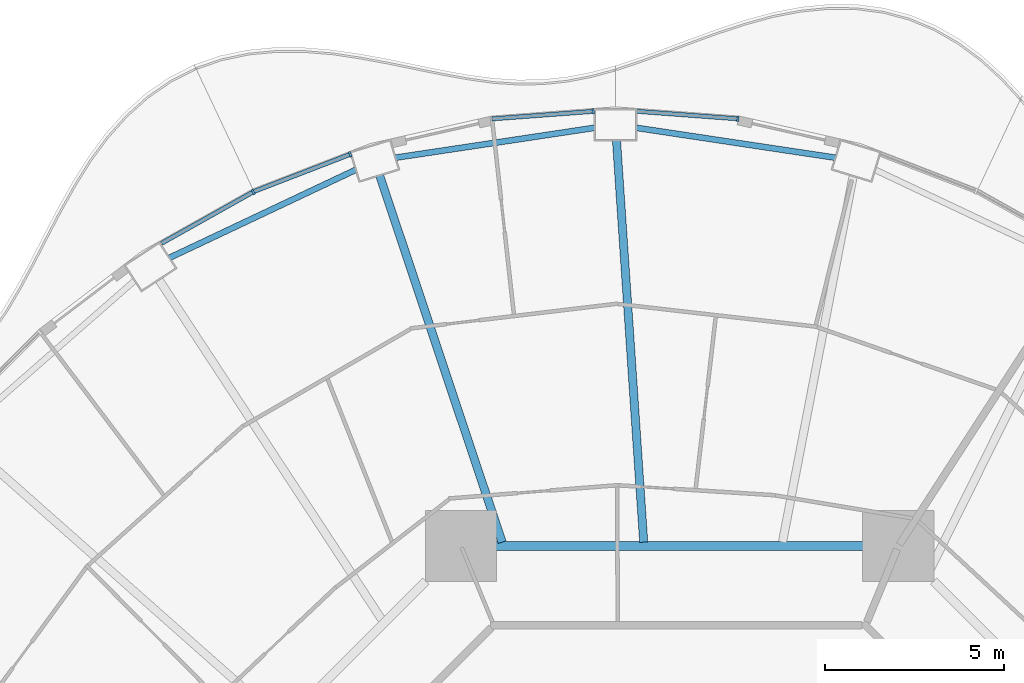
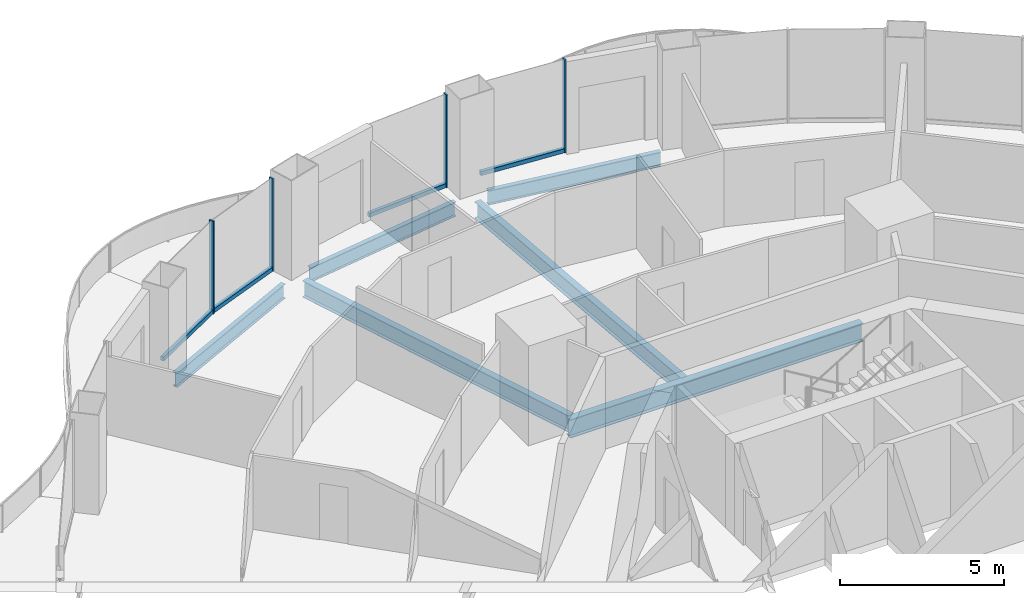
# One storey, part 7 of 20: 8 members, 6 beams, 4 elements without a shape of their own.
"""IFC4 building model written with IfcOpenShell, lengths in metres."""

import ifcopenshell
import ifcopenshell.guid

model = None  # the IFC model being written
_history = None  # IfcOwnerHistory: only IFC2X3 demands one
_inside = {}  # id of a spatial element -> (the spatial element, [elements in it])
_under = {}  # id of a project, library or spatial element -> (it, [spatial elements below it])
_declared = {}  # id of a project -> (the project, [libraries it declares])
_typed = {}  # id of a type object -> (the type object, [elements of that type])
_made_of = {}  # id of a material, layer set ... -> (it, [elements and type objects made of it])


def new_model(schema):
    """Start an empty IFC model of exactly this schema.

    Asked for "IFC4X3", IfcOpenShell would pick the latest addendum, in which some entities
    have other attributes; the version numbers below select the first issue.
    IFC2X3 requires an IfcOwnerHistory on every rooted entity: one is made here for all.
    """
    global model, _history
    if schema == "IFC4X3":
        model = ifcopenshell.file(schema_version=(4, 3, 0, 0))
    else:
        model = ifcopenshell.file(schema=schema)
    _inside.clear()
    _under.clear()
    _declared.clear()
    _typed.clear()
    _made_of.clear()
    _history = None
    if model.schema == "IFC2X3":
        org = make("IfcOrganization", Name="unknown")
        user = make(
            "IfcPersonAndOrganization",
            ThePerson=make("IfcPerson", FamilyName="unknown"),
            TheOrganization=org,
        )
        app = make(
            "IfcApplication",
            ApplicationDeveloper=org,
            Version="unknown",
            ApplicationFullName="unknown",
            ApplicationIdentifier="unknown",
        )
        _history = make(
            "IfcOwnerHistory",
            OwningUser=user,
            OwningApplication=app,
            ChangeAction="ADDED",
            CreationDate=0,
        )
    return model


def make(cls, **values):
    """One entity of the class cls with the attributes given. An attribute that is None is left unset."""
    return model.create_entity(
        cls, **{name: value for name, value in values.items() if value is not None}
    )


def rooted(cls, **values):
    """An entity with a GlobalId (a new one), such as an element, a storey or a relation."""
    return make(cls, GlobalId=ifcopenshell.guid.new(), OwnerHistory=_history, **values)


def si_unit(unit_type, name, prefix=None):
    """IfcSIUnit, for example si_unit("LENGTHUNIT", "METRE", prefix="MILLI")."""
    return make("IfcSIUnit", UnitType=unit_type, Prefix=prefix, Name=name)


def assignment(units):
    """IfcUnitAssignment: the units of a project."""
    return None if units is None else make("IfcUnitAssignment", Units=units)


def point(xyz):
    """IfcCartesianPoint."""
    return None if xyz is None else make("IfcCartesianPoint", Coordinates=xyz)


def direction(xyz):
    """IfcDirection."""
    return None if xyz is None else make("IfcDirection", DirectionRatios=xyz)


def frame(location, z_axis=None, x_axis=None):
    """IfcAxis2Placement3D, a coordinate frame: its origin and axes. An axis left out is left unset."""
    return make(
        "IfcAxis2Placement3D",
        Location=point(location),
        Axis=direction(z_axis),
        RefDirection=direction(x_axis),
    )


def frame_2d(location, x_axis=None):
    """IfcAxis2Placement2D, a coordinate frame in the plane: its origin and x axis."""
    return make(
        "IfcAxis2Placement2D", Location=point(location), RefDirection=direction(x_axis)
    )


def origin():
    """The frame at (0, 0, 0) with its axes left unset."""
    return frame((0.0, 0.0, 0.0))


def origin_2d():
    """The frame at (0, 0) in the plane with its x axis left unset."""
    return frame_2d((0.0, 0.0))


def place(relative_to, where):
    """IfcLocalPlacement: puts the frame where relative to a parent placement (None: the world)."""
    return make(
        "IfcLocalPlacement", PlacementRelTo=relative_to, RelativePlacement=where
    )


def context(
    kind, dimensions, precision=None, world=None, true_north=None, identifier=None
):
    """IfcGeometricRepresentationContext, for example the 3D "Model" context."""
    return make(
        "IfcGeometricRepresentationContext",
        ContextIdentifier=identifier,
        ContextType=kind,
        CoordinateSpaceDimension=dimensions,
        Precision=precision,
        WorldCoordinateSystem=world,
        TrueNorth=true_north,
    )


def subcontext(parent, identifier, kind, view, scale=None):
    """IfcGeometricRepresentationSubContext, for example "Body" below "Model"."""
    return make(
        "IfcGeometricRepresentationSubContext",
        ContextIdentifier=identifier,
        ContextType=kind,
        ParentContext=parent,
        TargetScale=scale,
        TargetView=view,
    )


def project(units=None, contexts=None):
    """IfcProject with its units and contexts."""
    return rooted(
        "IfcProject",
        Name="project",
        RepresentationContexts=contexts,
        UnitsInContext=assignment(units),
    )


def spatial(cls, under=None, at=None, **own):
    """A site, building, storey or space (cls), placed at a placement, below another one or the project."""
    s = rooted(cls, ObjectPlacement=at, **own)
    if under is not None:
        _under.setdefault(under.id(), (under, []))[1].append(s)
    return s


def profile(cls, at=None, kind="AREA", **sizes):
    """A parametric profile (cls). Its sizes go by their IFC names, for example OverallWidth=200.0."""
    return make(cls, ProfileType=kind, Position=at, **sizes)


def rectangle(**sizes):
    """IfcRectangleProfileDef."""
    return profile("IfcRectangleProfileDef", **sizes)


def i_section(**sizes):
    """IfcIShapeProfileDef."""
    return profile("IfcIShapeProfileDef", **sizes)


def extrude(swept, where, along, depth):
    """IfcExtrudedAreaSolid: the profile swept, set in the frame where, extruded along a direction by depth."""
    return make(
        "IfcExtrudedAreaSolid",
        SweptArea=swept,
        Position=where,
        ExtrudedDirection=direction(along),
        Depth=depth,
    )


def shape(context_of_items, identifier, shape_type, items):
    """IfcShapeRepresentation: the items that make up one representation, for example the "Body"."""
    return make(
        "IfcShapeRepresentation",
        ContextOfItems=context_of_items,
        RepresentationIdentifier=identifier,
        RepresentationType=shape_type,
        Items=items,
    )


def material(Name=None, Category=None):
    """IfcMaterial."""
    return make("IfcMaterial", Name=Name, Category=Category)


def layer(
    of_material, thickness, ventilated=None, Name=None, Category=None, Priority=None
):
    """IfcMaterialLayer: one layer of a wall or slab, of a material (None: an air gap)."""
    return make(
        "IfcMaterialLayer",
        Material=of_material,
        LayerThickness=thickness,
        IsVentilated=ventilated,
        Name=Name,
        Category=Category,
        Priority=Priority,
    )


def layer_set(layers, Name=None):
    """IfcMaterialLayerSet."""
    return make("IfcMaterialLayerSet", MaterialLayers=layers, LayerSetName=Name)


def material_profile(
    of_material, cross_section, Name=None, Category=None, Priority=None
):
    """IfcMaterialProfile: a cross section and its material."""
    return make(
        "IfcMaterialProfile",
        Name=Name,
        Material=of_material,
        Profile=cross_section,
        Priority=Priority,
        Category=Category,
    )


def profile_set(profiles, Name=None, composite=None):
    """IfcMaterialProfileSet."""
    return make(
        "IfcMaterialProfileSet",
        Name=Name,
        MaterialProfiles=profiles,
        CompositeProfile=composite,
    )


def made_of(thing, what):
    """Note that an element or type object is made of a material, layer set ...; save() writes the relation."""
    if what is not None:
        _made_of.setdefault(what.id(), (what, []))[1].append(thing)
    return thing


def type_object(cls, material=None, **own):
    """A type object (cls), such as IfcWallType, which elements share."""
    return made_of(rooted(cls, **own), material)


def element(
    cls,
    number,
    at=None,
    inside=None,
    cuts=None,
    type_object=None,
    material=None,
    context=None,
    identifier="Body",
    shape_type=None,
    held_by="IfcProductDefinitionShape",
    body=None,
    shapes=None,
    **own,
):
    """One element of the class cls, such as IfcWall. Its Tag is "e" and its number.

    at: its placement. inside: the storey or other place that contains it. cuts: it is an
    opening in that element (IfcRelVoidsElement). A single representation is given by context,
    identifier, shape_type and body (its items); several are given by shapes. held_by: the class
    of the entity that holds the representations. save() writes the other relations.
    """
    e = rooted(cls, Tag="e%d" % number, ObjectPlacement=at, **own)
    if body is not None:
        shapes = [shape(context, identifier, shape_type, body)]
    if shapes is not None:
        e.Representation = make(held_by, Representations=shapes)
    if inside is not None:
        _inside.setdefault(inside.id(), (inside, []))[1].append(e)
    if cuts is not None:
        rooted(
            "IfcRelVoidsElement", RelatingBuildingElement=cuts, RelatedOpeningElement=e
        )
    if type_object is not None:
        _typed.setdefault(type_object.id(), (type_object, []))[1].append(e)
    return made_of(e, material)


def aggregate(whole, parts):
    """IfcRelAggregates: a whole, such as a stair, and the parts it consists of."""
    return rooted("IfcRelAggregates", RelatingObject=whole, RelatedObjects=parts)


def save(model, path):
    """Write the relations noted so far, then the file.

    IfcRelAggregates (storeys below a building ...), IfcRelContainedInSpatialStructure (elements
    in a storey), IfcRelDefinesByType, IfcRelAssociatesMaterial and IfcRelDeclares: one each for
    every whole, place, type object, material and project.
    """
    for whole, parts in _under.values():
        aggregate(whole, parts)
    for where, things in _inside.values():
        rooted(
            "IfcRelContainedInSpatialStructure",
            RelatedElements=things,
            RelatingStructure=where,
        )
    for kind, things in _typed.values():
        rooted("IfcRelDefinesByType", RelatedObjects=things, RelatingType=kind)
    for what, things in _made_of.values():
        rooted("IfcRelAssociatesMaterial", RelatedObjects=things, RelatingMaterial=what)
    for by, libraries in _declared.values():
        rooted("IfcRelDeclares", RelatingContext=by, RelatedDefinitions=libraries)
    model.write(path)


model = new_model("IFC4")

# Units and contexts
model_context = context("Model", 3, precision=1e-05, world=origin(), true_north=direction((0.0, 1.0)))
body_context = subcontext(model_context, "Body", "Model", "MODEL_VIEW")
ifc_project = project(units=[si_unit("LENGTHUNIT", "METRE"), si_unit("AREAUNIT", "SQUARE_METRE"), si_unit("VOLUMEUNIT", "CUBIC_METRE"), si_unit("PLANEANGLEUNIT", "RADIAN"), si_unit("MASSUNIT", "GRAM", prefix="KILO")], contexts=[model_context])

# Site, building, storey
site_placement = place(None, origin())
site = spatial("IfcSite", under=ifc_project, at=site_placement, CompositionType="ELEMENT")
building_placement = place(site_placement, origin())
building = spatial("IfcBuilding", under=site, at=building_placement, Name="Nagisa Residences", CompositionType="ELEMENT")
storey_placement = place(building_placement, frame((0.0, 0.0, 145.5)))
storey = spatial("IfcBuildingStorey", under=building, at=storey_placement, Name="L36", CompositionType="ELEMENT", Elevation=145.5)

# Curtain wall, member
ifc_material_1 = material(Name="Concrete-coloured aluminium curtain wall system", Category="concrete")
ifc_layer = layer(ifc_material_1, 0.159912109375)
ifc_layer_set = layer_set([ifc_layer], Name="CW1 CURTAIN WALL")
curtain_wall_type = type_object("IfcCurtainWallType", Name="CW1 CURTAIN WALL", PredefinedType="NOTDEFINED", material=ifc_layer_set)
curtain_wall_1_placement = place(storey_placement, origin())
curtain_wall_1 = element("IfcCurtainWall", 1, at=curtain_wall_1_placement, inside=storey, type_object=curtain_wall_type, Name="cw:CW1:L36:11", PredefinedType="NOTDEFINED")
ifc_material_2 = material(Name="Concrete-coloured aluminium", Category="concrete")
ifc_material_profile_1 = material_profile(ifc_material_2, rectangle(XDim=0.159912109375, YDim=0.06005859375, at=origin_2d()), Name="CW1 MULLION 160x60")
ifc_profile_set_1 = profile_set([ifc_material_profile_1], Name="Concrete-coloured aluminium")
member_type_1 = type_object("IfcMemberType", Name="CW1 MULLION 160x60", PredefinedType="MULLION", material=ifc_profile_set_1)
member_1_placement = place(storey_placement, frame((1.627685546875, 26.741455078125, 0.0), z_axis=(0.0, 0.0, 1.0), x_axis=(-0.074377355493, -0.997230168512, 0.0)))
member_1 = element("IfcMember", 2, at=member_1_placement, type_object=member_type_1, Name="CW1 mullion", PredefinedType="MULLION", context=body_context, shape_type="SweptSolid", body=[
    extrude(rectangle(XDim=0.159912109375, YDim=0.06005859375, at=origin_2d()), origin(), (0.0, 0.0, 1.0), 3.43994140625),
])

curtain_wall_2_placement = place(storey_placement, origin())
curtain_wall_2 = element("IfcCurtainWall", 3, at=curtain_wall_2_placement, inside=storey, type_object=curtain_wall_type, Name="cw:CW1:L36:12", PredefinedType="NOTDEFINED")
member_2_placement = place(storey_placement, frame((-2.42236328125, 26.95068359375, 0.0), z_axis=(0.0, 0.0, 1.0), x_axis=(0.074377355493, -0.997230168512, 0.0)))
member_2 = element("IfcMember", 4, at=member_2_placement, type_object=member_type_1, Name="CW1 mullion", PredefinedType="MULLION", context=body_context, shape_type="SweptSolid", body=[
    extrude(rectangle(XDim=0.159912109375, YDim=0.06005859375, at=origin_2d()), origin(), (0.0, 0.0, 1.0), 3.43994140625),
])

curtain_wall_3_placement = place(storey_placement, origin())
curtain_wall_3 = element("IfcCurtainWall", 5, at=curtain_wall_3_placement, inside=storey, type_object=curtain_wall_type, Name="cw:CW1:L36:14", PredefinedType="NOTDEFINED")
member_3_placement = place(storey_placement, frame((-9.2265625, 25.746826171875, 0.0), z_axis=(0.0, 0.0, 1.0), x_axis=(0.360327770268, -0.932825759707, 0.0)))
member_3 = element("IfcMember", 6, at=member_3_placement, type_object=member_type_1, Name="CW1 mullion", PredefinedType="MULLION", context=body_context, shape_type="SweptSolid", body=[
    extrude(rectangle(XDim=0.159912109375, YDim=0.06005859375, at=origin_2d()), origin(), (0.0, 0.0, 1.0), 3.43994140625),
])

curtain_wall_4_placement = place(storey_placement, origin())
curtain_wall_4 = element("IfcCurtainWall", 7, at=curtain_wall_4_placement, inside=storey, type_object=curtain_wall_type, Name="cw:CW1:L36:15", PredefinedType="NOTDEFINED")
member_4_placement = place(storey_placement, frame((-11.94140625, 24.6943359375, 0.0), z_axis=(0.0, 0.0, 1.0), x_axis=(0.489376918501, -0.872072377523, 0.0)))
member_4 = element("IfcMember", 8, at=member_4_placement, type_object=member_type_1, Name="CW1 mullion", PredefinedType="MULLION", context=body_context, shape_type="SweptSolid", body=[
    extrude(rectangle(XDim=0.159912109375, YDim=0.06005859375, at=origin_2d()), origin(), (0.0, 0.0, 1.0), 3.43994140625),
])

# Member
ifc_material_3 = material(Name="Concrete-coloured aluminium", Category="concrete")
ifc_material_profile_2 = material_profile(ifc_material_3, rectangle(XDim=0.1201171875, YDim=0.14990234375, at=origin_2d()), Name="CW1 TRANSOM 120x150")
ifc_profile_set_2 = profile_set([ifc_material_profile_2], Name="Concrete-coloured aluminium")
member_type_2 = type_object("IfcMemberType", Name="CW1 TRANSOM 120x150", PredefinedType="USERDEFINED", material=ifc_profile_set_2)
member_5_placement = place(storey_placement, frame((1.657470703125, 26.7392578125, 0.074951171875), z_axis=(-0.997231697044, 0.074356858535, 0.0), x_axis=(-0.074356858535, -0.997231697044, 0.0)))
member_5 = element("IfcMember", 9, at=member_5_placement, type_object=member_type_2, Name="CW1 transom", ObjectType="TRANSOM", PredefinedType="USERDEFINED", context=body_context, shape_type="SweptSolid", body=[
    extrude(rectangle(XDim=0.1201171875, YDim=0.14990234375, at=origin_2d()), origin(), (0.0, 0.0, 1.0), 2.873046875),
])

aggregate(curtain_wall_1, [member_1, member_5])

member_6_placement = place(storey_placement, frame((-2.392333984375, 26.952880859375, 0.074951171875), z_axis=(-0.997232166829, -0.074350557769, 0.0), x_axis=(0.074350557769, -0.997232166829, 0.0)))
member_6 = element("IfcMember", 10, at=member_6_placement, type_object=member_type_2, Name="CW1 transom", ObjectType="TRANSOM", PredefinedType="USERDEFINED", context=body_context, shape_type="SweptSolid", body=[
    extrude(rectangle(XDim=0.1201171875, YDim=0.14990234375, at=origin_2d()), origin(), (0.0, 0.0, 1.0), 2.873291015625),
])

aggregate(curtain_wall_2, [member_2, member_6])

member_7_placement = place(storey_placement, frame((-9.19873046875, 25.757568359375, 0.074951171875), z_axis=(-0.932845344347, -0.360277064952, 0.0), x_axis=(0.360277064952, -0.932845344347, 0.0)))
member_7 = element("IfcMember", 11, at=member_7_placement, type_object=member_type_2, Name="CW1 transom", ObjectType="TRANSOM", PredefinedType="USERDEFINED", context=body_context, shape_type="SweptSolid", body=[
    extrude(rectangle(XDim=0.1201171875, YDim=0.14990234375, at=origin_2d()), origin(), (0.0, 0.0, 1.0), 2.92333984375),
])

aggregate(curtain_wall_3, [member_3, member_7])

member_8_placement = place(storey_placement, frame((-11.915283203125, 24.708984375, 0.074951171875), z_axis=(-0.872101969379, -0.489324181914, 0.0), x_axis=(0.489324181914, -0.872101969379, 0.0)))
member_8 = element("IfcMember", 12, at=member_8_placement, type_object=member_type_2, Name="CW1 transom", ObjectType="TRANSOM", PredefinedType="USERDEFINED", context=body_context, shape_type="SweptSolid", body=[
    extrude(rectangle(XDim=0.1201171875, YDim=0.14990234375, at=origin_2d()), origin(), (0.0, 0.0, 1.0), 2.9697265625),
])

aggregate(curtain_wall_4, [member_4, member_8])

# Beams
ifc_material_4 = material(Name="Steel ASTM A572 Gr 50", Category="steel")
ifc_material_profile_3 = material_profile(ifc_material_4, i_section(OverallWidth=0.25390625, OverallDepth=0.68408203125, WebThickness=0.012451171875, FlangeThickness=0.018798828125, at=origin_2d()), Name="W690x140")
ifc_profile_set_3 = profile_set([ifc_material_profile_3], Name="Steel ASTM A572 Gr 50")
beam_type_1 = type_object("IfcBeamType", Name="Inner ring beam W690x140", PredefinedType="BEAM", material=ifc_profile_set_3)
beam_1_placement = place(storey_placement, frame((5.142822265625, 14.781982421875, -0.60205078125), z_axis=(-1.0, 0.0, 0.0), x_axis=(0.0, -1.0, 0.0)))
element("IfcBeam", 13, at=beam_1_placement, inside=storey, type_object=beam_type_1, Name="beam:L36:ib2", PredefinedType="BEAM", context=body_context, shape_type="SweptSolid", body=[
    extrude(i_section(OverallWidth=0.25390625, OverallDepth=0.68408203125, WebThickness=0.012451171875, FlangeThickness=0.018798828125, at=origin_2d()), origin(), (0.0, 0.0, 1.0), 10.28564453125),
])
ifc_material_5 = material(Name="Steel ASTM A572 Gr 50", Category="steel")
ifc_material_profile_4 = material_profile(ifc_material_5, i_section(OverallWidth=0.166015625, OverallDepth=0.534912109375, WebThickness=0.01025390625, FlangeThickness=0.0166015625, at=origin_2d()), Name="W530x85")
ifc_profile_set_4 = profile_set([ifc_material_profile_4], Name="Steel ASTM A572 Gr 50")
beam_type_2 = type_object("IfcBeamType", Name="Perimeter ring beam W530x85", PredefinedType="BEAM", material=ifc_profile_set_4)
for number, where, z_axis, x_axis, name in (
    (14, (4.3583984375, 25.652587890625, -0.527587890625), (-0.9889122118, 0.148501304214, 0.0), (-0.148501304214, -0.9889122118, 0.0), "beam:L36:pb06"),
    (15, (-2.380126953125, 26.490234375, -0.527587890625), (-0.9889122118, -0.148501304214, 0.0), (0.148501304214, -0.9889122118, 0.0), "beam:L36:pb07"),
):
    element("IfcBeam", number, at=place(storey_placement, frame(where, z_axis=z_axis, x_axis=x_axis)), inside=storey, type_object=beam_type_2, Name=name, PredefinedType="BEAM", context=body_context, shape_type="SweptSolid", body=[
        extrude(i_section(OverallWidth=0.166015625, OverallDepth=0.534912109375, WebThickness=0.01025390625, FlangeThickness=0.0166015625, at=origin_2d()), origin(), (0.0, 0.0, 1.0), 5.640625),
    ])
beam_2_placement = place(storey_placement, frame((-9.068603515625, 25.31494140625, -0.527587890625), z_axis=(-0.904169699539, -0.427173447719, 0.0), x_axis=(0.427173447719, -0.904169699539, 0.0)))
element("IfcBeam", 16, at=beam_2_placement, inside=storey, type_object=beam_type_2, Name="beam:L36:pb08", PredefinedType="BEAM", context=body_context, shape_type="SweptSolid", body=[
    extrude(i_section(OverallWidth=0.166015625, OverallDepth=0.534912109375, WebThickness=0.01025390625, FlangeThickness=0.0166015625, at=origin_2d()), origin(), (0.0, 0.0, 1.0), 5.7724609375),
])
ifc_material_6 = material(Name="Steel ASTM A572 Gr 50", Category="steel")
ifc_material_profile_5 = material_profile(ifc_material_6, i_section(OverallWidth=0.22900390625, OverallDepth=0.612060546875, WebThickness=0.011962890625, FlangeThickness=0.01953125, at=origin_2d()), Name="W610x125")
ifc_profile_set_5 = profile_set([ifc_material_profile_5], Name="Steel ASTM A572 Gr 50")
beam_type_3 = type_object("IfcBeamType", Name="Radial beam W610x125", PredefinedType="BEAM", material=ifc_profile_set_5)
beam_3_placement = place(storey_placement, frame((-1.77099609375, 26.147216796875, -0.56591796875), z_axis=(0.067591690418, -0.997713066661, 0.0), x_axis=(0.997713066661, 0.067591690418, 0.0)))
element("IfcBeam", 17, at=beam_3_placement, inside=storey, type_object=beam_type_3, Name="beam:L36:rb07", PredefinedType="BEAM", context=body_context, shape_type="SweptSolid", body=[
    extrude(i_section(OverallWidth=0.22900390625, OverallDepth=0.612060546875, WebThickness=0.011962890625, FlangeThickness=0.01953125, at=origin_2d()), origin(), (0.0, 0.0, 1.0), 11.283935546875),
])
beam_4_placement = place(storey_placement, frame((-8.402099609375, 25.157470703125, -0.56591796875), z_axis=(0.316789297789, -0.948495936104, 0.0), x_axis=(0.948495936104, 0.316789297789, 0.0)))
element("IfcBeam", 18, at=beam_4_placement, inside=storey, type_object=beam_type_3, Name="beam:L36:rb08", PredefinedType="BEAM", context=body_context, shape_type="SweptSolid", body=[
    extrude(i_section(OverallWidth=0.22900390625, OverallDepth=0.612060546875, WebThickness=0.011962890625, FlangeThickness=0.01953125, at=origin_2d()), origin(), (0.0, 0.0, 1.0), 10.824951171875),
])

save(model, "model.ifc")
